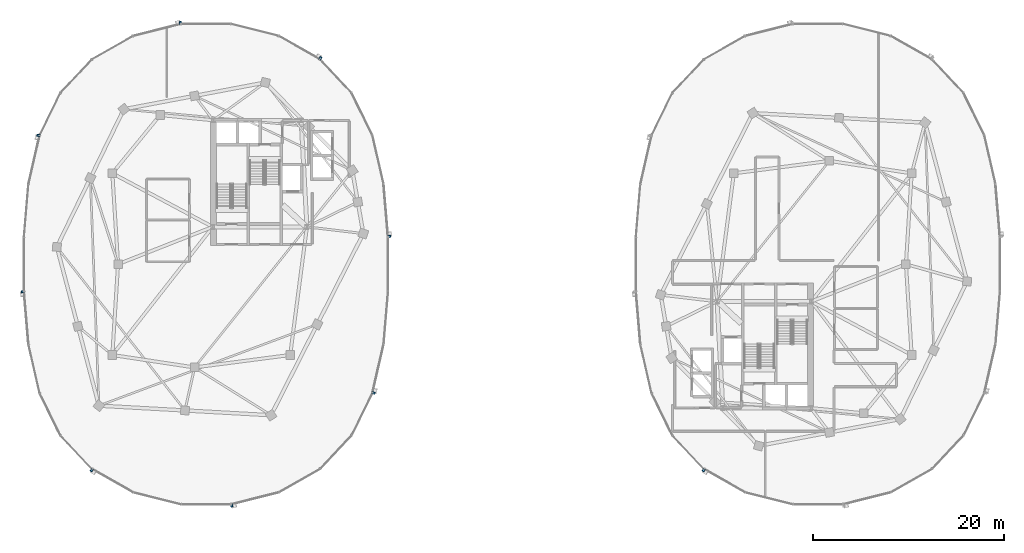
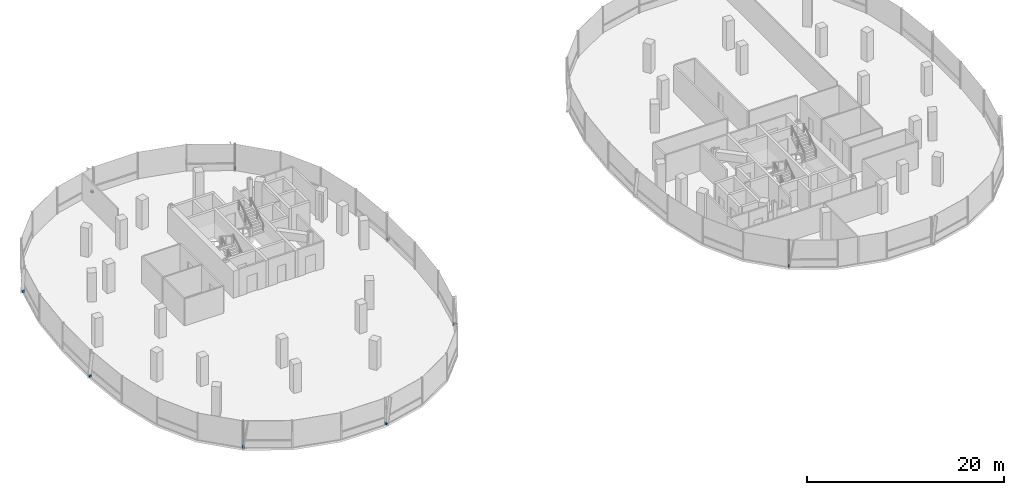
# One storey, part 18 of 24: 9 discrete accessories.
"""IFC4 building model written with IfcOpenShell, lengths in metres."""

from ifc_helpers import new_model, si_unit, direction, frame, origin, origin_2d, place, context, subcontext, project, spatial, rectangle, extrude, material, type_object, element, save


model = new_model("IFC4")

# Units and contexts
model_context = context("Model", 3, precision=1e-05, world=origin(), true_north=direction((0.0, 1.0)))
body_context = subcontext(model_context, "Body", "Model", "MODEL_VIEW")
ifc_project = project(units=[si_unit("LENGTHUNIT", "METRE"), si_unit("AREAUNIT", "SQUARE_METRE"), si_unit("VOLUMEUNIT", "CUBIC_METRE"), si_unit("PLANEANGLEUNIT", "RADIAN"), si_unit("MASSUNIT", "GRAM", prefix="KILO"), si_unit("THERMODYNAMICTEMPERATUREUNIT", "KELVIN"), si_unit("POWERUNIT", "WATT")], contexts=[model_context])

# Site, building, storey
site_placement = place(None, origin())
site = spatial("IfcSite", under=ifc_project, at=site_placement, CompositionType="ELEMENT")
building_placement = place(site_placement, origin())
building = spatial("IfcBuilding", under=site, at=building_placement, Name="Cundina Bronze Exchange", CompositionType="ELEMENT")
storey_placement = place(building_placement, frame((0.0, 0.0, 227.800048828125)))
storey = spatial("IfcBuildingStorey", under=building, at=storey_placement, Name="L60", CompositionType="ELEMENT", Elevation=227.800048828125)

# Discrete accessories
ifc_material = material(Name="Anodised Bronze Aluminium 6063-T6", Category="aluminium")
discrete_accessory_type = type_object("IfcDiscreteAccessoryType", Name="ACC-BRK-FIN", PredefinedType="BRACKET", material=ifc_material)
for number, where, z_axis, x_axis, name in (
    (1, (-12.84521484375, 2.893798828125, 0.10009765625), (0.0, 0.0, 1.0), (-0.083747411454, 0.996487015006, 0.0), "L60 Fin Support Bracket 1"),
    (2, (-20.038818359375, 21.539794921875, 0.10009765625), (0.0, 0.0, 1.0), (-0.869572506985, 0.493805280547, 0.0), "L60 Fin Support Bracket 5"),
    (3, (-34.678955078125, 25.23779296875, 0.10009765625), (0.0, 0.0, 1.0), (-0.969731542251, -0.244173577528, 0.0), "L60 Fin Support Bracket 1"),
    (4, (-49.529541015625, 13.468505859375, 0.10009765625), (0.0, 0.0, 1.0), (-0.223284141459, -0.974753400698, 0.0), "L60 Fin Support Bracket 5"),
    (5, (-51.15478515625, -2.893798828125, 0.10009765625), (0.0, 0.0, 1.0), (0.083747411454, -0.996487015006, 0.0), "L60 Fin Support Bracket 1"),
    (6, (-43.961181640625, -21.539794921875, 0.10009765625), (0.0, 0.0, 1.0), (0.869572506985, -0.493805280547, 0.0), "L60 Fin Support Bracket 5"),
    (7, (-29.321044921875, -25.23779296875, 0.10009765625), (0.0, 0.0, 1.0), (0.969731542251, 0.244173577528, 0.0), "L60 Fin Support Bracket 1"),
    (8, (-14.470458984375, -13.468505859375, 0.10009765625), (0.0, 0.0, 1.0), (0.223284141459, 0.974753400698, 0.0), "L60 Fin Support Bracket 5"),
    (9, (20.038818359375, -21.539794921875, 0.10009765625), (0.0, 0.0, 1.0), (0.869572506985, -0.493805280547, 0.0), "L60 Fin Support Bracket 5"),
):
    element("IfcDiscreteAccessory", number, at=place(storey_placement, frame(where, z_axis=z_axis, x_axis=x_axis)), inside=storey, type_object=discrete_accessory_type, Name=name, PredefinedType="BRACKET", context=body_context, shape_type="SweptSolid", body=[
        extrude(rectangle(XDim=0.219970703125, YDim=0.320068359375, at=origin_2d()), origin(), (0.0, 0.0, 1.0), 0.239990234375),
    ])

save(model, "model.ifc")
